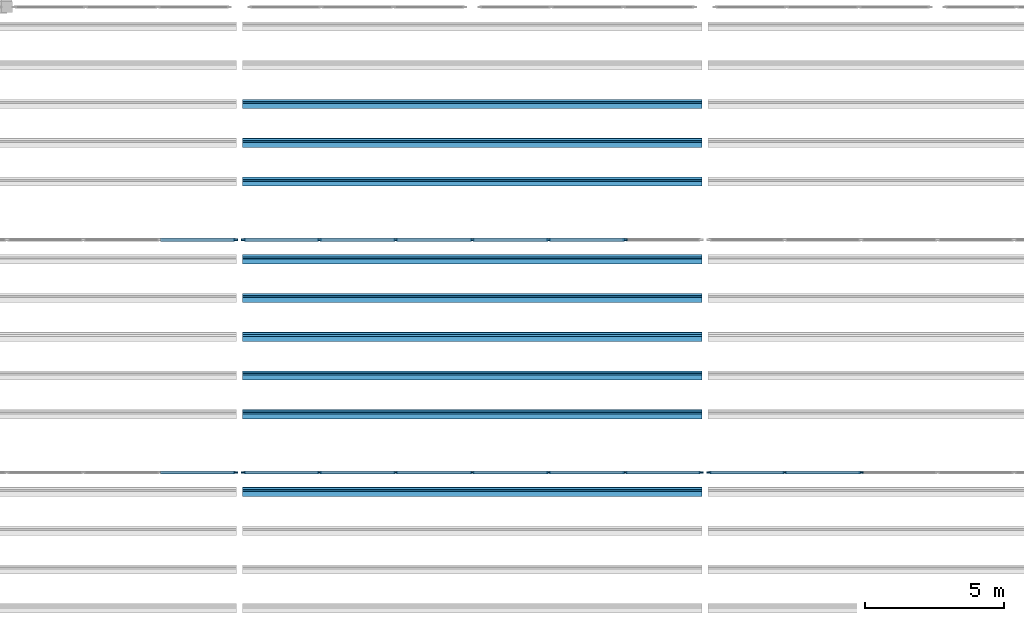
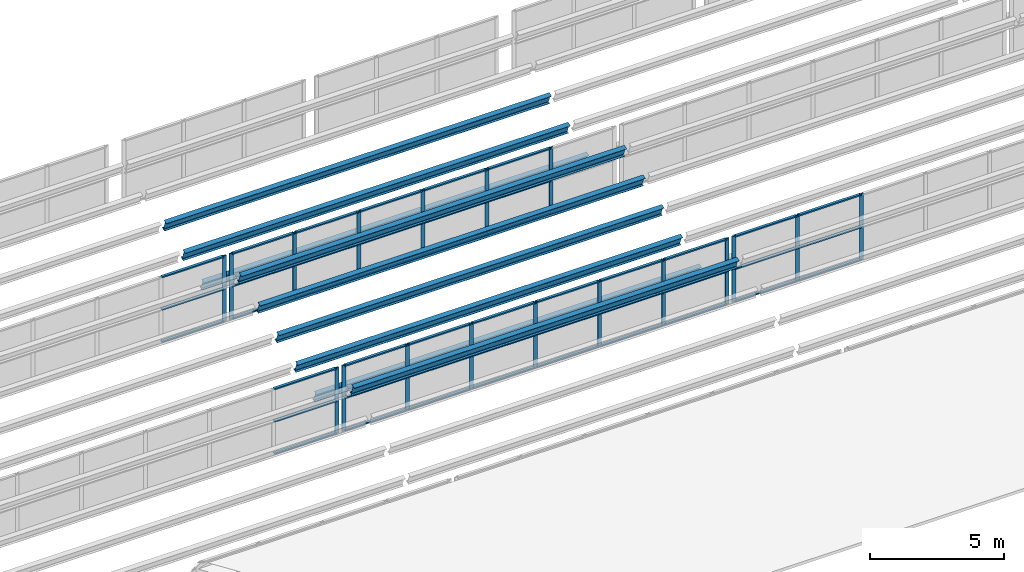
# One storey, part 14 of 116: 72 members, 5 elements without a shape of their own.
"""IFC4 building model written with IfcOpenShell, lengths in metres."""

from ifc_helpers import new_model, si_unit, direction, frame, origin, origin_2d, place, context, subcontext, project, spatial, rectangle, i_section, extrude, material, material_profile, profile_set, type_object, element, aggregate, save


model = new_model("IFC4")

# Units and contexts
model_context = context("Model", 3, precision=1e-05, world=origin(), true_north=direction((0.0, 1.0)))
body_context = subcontext(model_context, "Body", "Model", "MODEL_VIEW")
ifc_project = project(units=[si_unit("LENGTHUNIT", "METRE"), si_unit("AREAUNIT", "SQUARE_METRE"), si_unit("VOLUMEUNIT", "CUBIC_METRE"), si_unit("PLANEANGLEUNIT", "RADIAN"), si_unit("MASSUNIT", "GRAM", prefix="KILO")], contexts=[model_context])

# Site, building, storey
site_placement = place(None, origin())
site = spatial("IfcSite", under=ifc_project, at=site_placement, CompositionType="ELEMENT")
building_placement = place(site_placement, origin())
building = spatial("IfcBuilding", under=site, at=building_placement, Name="Fescue Hill Polytechnic", CompositionType="ELEMENT")
storey_placement = place(building_placement, frame((0.0, 0.0, 13.5)))
storey = spatial("IfcBuildingStorey", under=building, at=storey_placement, Name="L03", CompositionType="ELEMENT", Elevation=13.5)

# Curtain wall, member
ifc_material_1 = material(Name="Aluminium and glass", Category="aluminium")
curtain_wall_type = type_object("IfcCurtainWallType", Name="Sawtooth north glazing curtain wall", PredefinedType="NOTDEFINED", material=ifc_material_1)
curtain_wall_1_placement = place(storey_placement, origin())
curtain_wall_1 = element("IfcCurtainWall", 1, at=curtain_wall_1_placement, inside=storey, type_object=curtain_wall_type, Name="Sawtooth 2 north glazing bay 2", PredefinedType="NOTDEFINED")
ifc_material_2 = material(Name="Aluminium", Category="aluminium")
ifc_material_profile_1 = material_profile(ifc_material_2, rectangle(XDim=0.06005859375, YDim=0.159912109375, at=origin_2d()), Name="Curtain wall mullion 60x160")
ifc_profile_set_1 = profile_set([ifc_material_profile_1], Name="Aluminium")
member_type_1 = type_object("IfcMemberType", Name="Curtain wall mullion 60x160", PredefinedType="MULLION", material=ifc_profile_set_1)
member_1_placement = place(storey_placement, frame((33.449951171875, 33.60009765625, 0.0), z_axis=(0.0, 0.0, 1.0), x_axis=(0.0, 1.0, 0.0)))
member_1 = element("IfcMember", 2, at=member_1_placement, type_object=member_type_1, Name="CW9 mullion 7", PredefinedType="MULLION", context=body_context, shape_type="SweptSolid", body=[
    extrude(rectangle(XDim=0.06005859375, YDim=0.159912109375, at=origin_2d()), origin(), (0.0, 0.0, 1.0), 3.0),
])

# Curtain wall, members
curtain_wall_2_placement = place(storey_placement, origin())
curtain_wall_2 = element("IfcCurtainWall", 3, at=curtain_wall_2_placement, inside=storey, type_object=curtain_wall_type, Name="Sawtooth 2 north glazing bay 3", PredefinedType="NOTDEFINED")
member_2_placement = place(storey_placement, frame((33.75, 33.60009765625, 0.0), z_axis=(0.0, 0.0, 1.0), x_axis=(0.0, 1.0, 0.0)))
member_2 = element("IfcMember", 4, at=member_2_placement, type_object=member_type_1, Name="CW10 mullion 1", PredefinedType="MULLION", context=body_context, shape_type="SweptSolid", body=[
    extrude(rectangle(XDim=0.06005859375, YDim=0.159912109375, at=origin_2d()), origin(), (0.0, 0.0, 1.0), 3.0),
])
member_3_placement = place(storey_placement, frame((36.47998046875, 33.60009765625, 0.0), z_axis=(0.0, 0.0, 1.0), x_axis=(0.0, 1.0, 0.0)))
member_3 = element("IfcMember", 5, at=member_3_placement, type_object=member_type_1, Name="CW10 mullion 2", PredefinedType="MULLION", context=body_context, shape_type="SweptSolid", body=[
    extrude(rectangle(XDim=0.06005859375, YDim=0.159912109375, at=origin_2d()), origin(), (0.0, 0.0, 1.0), 3.0),
])
member_4_placement = place(storey_placement, frame((39.239990234375, 33.60009765625, 0.0), z_axis=(0.0, 0.0, 1.0), x_axis=(0.0, 1.0, 0.0)))
member_4 = element("IfcMember", 6, at=member_4_placement, type_object=member_type_1, Name="CW10 mullion 3", PredefinedType="MULLION", context=body_context, shape_type="SweptSolid", body=[
    extrude(rectangle(XDim=0.06005859375, YDim=0.159912109375, at=origin_2d()), origin(), (0.0, 0.0, 1.0), 3.0),
])
member_5_placement = place(storey_placement, frame((42.0, 33.60009765625, 0.0), z_axis=(0.0, 0.0, 1.0), x_axis=(0.0, 1.0, 0.0)))
member_5 = element("IfcMember", 7, at=member_5_placement, type_object=member_type_1, Name="CW10 mullion 4", PredefinedType="MULLION", context=body_context, shape_type="SweptSolid", body=[
    extrude(rectangle(XDim=0.06005859375, YDim=0.159912109375, at=origin_2d()), origin(), (0.0, 0.0, 1.0), 3.0),
])
member_6_placement = place(storey_placement, frame((44.760009765625, 33.60009765625, 0.0), z_axis=(0.0, 0.0, 1.0), x_axis=(0.0, 1.0, 0.0)))
member_6 = element("IfcMember", 8, at=member_6_placement, type_object=member_type_1, Name="CW10 mullion 5", PredefinedType="MULLION", context=body_context, shape_type="SweptSolid", body=[
    extrude(rectangle(XDim=0.06005859375, YDim=0.159912109375, at=origin_2d()), origin(), (0.0, 0.0, 1.0), 3.0),
])
member_7_placement = place(storey_placement, frame((47.52001953125, 33.60009765625, 0.0), z_axis=(0.0, 0.0, 1.0), x_axis=(0.0, 1.0, 0.0)))
member_7 = element("IfcMember", 9, at=member_7_placement, type_object=member_type_1, Name="CW10 mullion 6", PredefinedType="MULLION", context=body_context, shape_type="SweptSolid", body=[
    extrude(rectangle(XDim=0.06005859375, YDim=0.159912109375, at=origin_2d()), origin(), (0.0, 0.0, 1.0), 3.0),
])
member_8_placement = place(storey_placement, frame((50.25, 33.60009765625, 0.0), z_axis=(0.0, 0.0, 1.0), x_axis=(0.0, 1.0, 0.0)))
member_8 = element("IfcMember", 10, at=member_8_placement, type_object=member_type_1, Name="CW10 mullion 7", PredefinedType="MULLION", context=body_context, shape_type="SweptSolid", body=[
    extrude(rectangle(XDim=0.06005859375, YDim=0.159912109375, at=origin_2d()), origin(), (0.0, 0.0, 1.0), 3.0),
])

curtain_wall_3_placement = place(storey_placement, origin())
curtain_wall_3 = element("IfcCurtainWall", 11, at=curtain_wall_3_placement, inside=storey, type_object=curtain_wall_type, Name="Sawtooth 2 north glazing bay 4", PredefinedType="NOTDEFINED")
member_9_placement = place(storey_placement, frame((50.550048828125, 33.60009765625, 0.0), z_axis=(0.0, 0.0, 1.0), x_axis=(0.0, 1.0, 0.0)))
member_9 = element("IfcMember", 12, at=member_9_placement, type_object=member_type_1, Name="CW11 mullion 1", PredefinedType="MULLION", context=body_context, shape_type="SweptSolid", body=[
    extrude(rectangle(XDim=0.06005859375, YDim=0.159912109375, at=origin_2d()), origin(), (0.0, 0.0, 1.0), 3.0),
])
member_10_placement = place(storey_placement, frame((53.280029296875, 33.60009765625, 0.0), z_axis=(0.0, 0.0, 1.0), x_axis=(0.0, 1.0, 0.0)))
member_10 = element("IfcMember", 13, at=member_10_placement, type_object=member_type_1, Name="CW11 mullion 2", PredefinedType="MULLION", context=body_context, shape_type="SweptSolid", body=[
    extrude(rectangle(XDim=0.06005859375, YDim=0.159912109375, at=origin_2d()), origin(), (0.0, 0.0, 1.0), 3.0),
])
member_11_placement = place(storey_placement, frame((56.0400390625, 33.60009765625, 0.0), z_axis=(0.0, 0.0, 1.0), x_axis=(0.0, 1.0, 0.0)))
member_11 = element("IfcMember", 14, at=member_11_placement, type_object=member_type_1, Name="CW11 mullion 3", PredefinedType="MULLION", context=body_context, shape_type="SweptSolid", body=[
    extrude(rectangle(XDim=0.06005859375, YDim=0.159912109375, at=origin_2d()), origin(), (0.0, 0.0, 1.0), 3.0),
])

# Curtain wall, member
curtain_wall_4_placement = place(storey_placement, origin())
curtain_wall_4 = element("IfcCurtainWall", 15, at=curtain_wall_4_placement, inside=storey, type_object=curtain_wall_type, Name="Sawtooth 3 north glazing bay 2", PredefinedType="NOTDEFINED")
member_12_placement = place(storey_placement, frame((33.449951171875, 42.0, 0.0), z_axis=(0.0, 0.0, 1.0), x_axis=(0.0, 1.0, 0.0)))
member_12 = element("IfcMember", 16, at=member_12_placement, type_object=member_type_1, Name="CW16 mullion 7", PredefinedType="MULLION", context=body_context, shape_type="SweptSolid", body=[
    extrude(rectangle(XDim=0.06005859375, YDim=0.159912109375, at=origin_2d()), origin(), (0.0, 0.0, 1.0), 3.0),
])

# Curtain wall, members
curtain_wall_5_placement = place(storey_placement, origin())
curtain_wall_5 = element("IfcCurtainWall", 17, at=curtain_wall_5_placement, inside=storey, type_object=curtain_wall_type, Name="Sawtooth 3 north glazing bay 3", PredefinedType="NOTDEFINED")
member_13_placement = place(storey_placement, frame((33.75, 42.0, 0.0), z_axis=(0.0, 0.0, 1.0), x_axis=(0.0, 1.0, 0.0)))
member_13 = element("IfcMember", 18, at=member_13_placement, type_object=member_type_1, Name="CW17 mullion 1", PredefinedType="MULLION", context=body_context, shape_type="SweptSolid", body=[
    extrude(rectangle(XDim=0.06005859375, YDim=0.159912109375, at=origin_2d()), origin(), (0.0, 0.0, 1.0), 3.0),
])
member_14_placement = place(storey_placement, frame((36.47998046875, 42.0, 0.0), z_axis=(0.0, 0.0, 1.0), x_axis=(0.0, 1.0, 0.0)))
member_14 = element("IfcMember", 19, at=member_14_placement, type_object=member_type_1, Name="CW17 mullion 2", PredefinedType="MULLION", context=body_context, shape_type="SweptSolid", body=[
    extrude(rectangle(XDim=0.06005859375, YDim=0.159912109375, at=origin_2d()), origin(), (0.0, 0.0, 1.0), 3.0),
])
member_15_placement = place(storey_placement, frame((39.239990234375, 42.0, 0.0), z_axis=(0.0, 0.0, 1.0), x_axis=(0.0, 1.0, 0.0)))
member_15 = element("IfcMember", 20, at=member_15_placement, type_object=member_type_1, Name="CW17 mullion 3", PredefinedType="MULLION", context=body_context, shape_type="SweptSolid", body=[
    extrude(rectangle(XDim=0.06005859375, YDim=0.159912109375, at=origin_2d()), origin(), (0.0, 0.0, 1.0), 3.0),
])
member_16_placement = place(storey_placement, frame((42.0, 42.0, 0.0), z_axis=(0.0, 0.0, 1.0), x_axis=(0.0, 1.0, 0.0)))
member_16 = element("IfcMember", 21, at=member_16_placement, type_object=member_type_1, Name="CW17 mullion 4", PredefinedType="MULLION", context=body_context, shape_type="SweptSolid", body=[
    extrude(rectangle(XDim=0.06005859375, YDim=0.159912109375, at=origin_2d()), origin(), (0.0, 0.0, 1.0), 3.0),
])
member_17_placement = place(storey_placement, frame((44.760009765625, 42.0, 0.0), z_axis=(0.0, 0.0, 1.0), x_axis=(0.0, 1.0, 0.0)))
member_17 = element("IfcMember", 22, at=member_17_placement, type_object=member_type_1, Name="CW17 mullion 5", PredefinedType="MULLION", context=body_context, shape_type="SweptSolid", body=[
    extrude(rectangle(XDim=0.06005859375, YDim=0.159912109375, at=origin_2d()), origin(), (0.0, 0.0, 1.0), 3.0),
])
member_18_placement = place(storey_placement, frame((47.52001953125, 42.0, 0.0), z_axis=(0.0, 0.0, 1.0), x_axis=(0.0, 1.0, 0.0)))
member_18 = element("IfcMember", 23, at=member_18_placement, type_object=member_type_1, Name="CW17 mullion 6", PredefinedType="MULLION", context=body_context, shape_type="SweptSolid", body=[
    extrude(rectangle(XDim=0.06005859375, YDim=0.159912109375, at=origin_2d()), origin(), (0.0, 0.0, 1.0), 3.0),
])

# Member
ifc_material_profile_2 = material_profile(ifc_material_2, rectangle(XDim=0.1201171875, YDim=0.06005859375, at=origin_2d()), Name="Curtain wall transom 60x120")
ifc_profile_set_2 = profile_set([ifc_material_profile_2], Name="Aluminium")
member_type_2 = type_object("IfcMemberType", Name="Curtain wall transom 60x120", PredefinedType="USERDEFINED", material=ifc_profile_set_2)
member_19_placement = place(storey_placement, frame((30.75, 33.60009765625, 0.030029296875), z_axis=(1.0, 0.0, 0.0), x_axis=(0.0, 1.0, 0.0)))
member_19 = element("IfcMember", 24, at=member_19_placement, type_object=member_type_2, Name="CW9 transom 6.1", ObjectType="TRANSOM", PredefinedType="USERDEFINED", context=body_context, shape_type="SweptSolid", body=[
    extrude(rectangle(XDim=0.1201171875, YDim=0.06005859375, at=origin_2d()), origin(), (0.0, 0.0, 1.0), 2.669921875),
])

member_20_placement = place(storey_placement, frame((30.75, 33.60009765625, 1.5), z_axis=(1.0, 0.0, 0.0), x_axis=(0.0, 1.0, 0.0)))
member_20 = element("IfcMember", 25, at=member_20_placement, type_object=member_type_2, Name="CW9 transom 6.2", ObjectType="TRANSOM", PredefinedType="USERDEFINED", context=body_context, shape_type="SweptSolid", body=[
    extrude(rectangle(XDim=0.1201171875, YDim=0.06005859375, at=origin_2d()), origin(), (0.0, 0.0, 1.0), 2.669921875),
])

member_21_placement = place(storey_placement, frame((30.75, 33.60009765625, 2.969970703125), z_axis=(1.0, 0.0, 0.0), x_axis=(0.0, 1.0, 0.0)))
member_21 = element("IfcMember", 26, at=member_21_placement, type_object=member_type_2, Name="CW9 transom 6.3", ObjectType="TRANSOM", PredefinedType="USERDEFINED", context=body_context, shape_type="SweptSolid", body=[
    extrude(rectangle(XDim=0.1201171875, YDim=0.06005859375, at=origin_2d()), origin(), (0.0, 0.0, 1.0), 2.669921875),
])

aggregate(curtain_wall_1, [member_1, member_19, member_20, member_21])

member_22_placement = place(storey_placement, frame((33.780029296875, 33.60009765625, 0.030029296875), z_axis=(1.0, 0.0, 0.0), x_axis=(0.0, 1.0, 0.0)))
member_22 = element("IfcMember", 27, at=member_22_placement, type_object=member_type_2, Name="CW10 transom 1.1", ObjectType="TRANSOM", PredefinedType="USERDEFINED", context=body_context, shape_type="SweptSolid", body=[
    extrude(rectangle(XDim=0.1201171875, YDim=0.06005859375, at=origin_2d()), origin(), (0.0, 0.0, 1.0), 2.669921875),
])

member_23_placement = place(storey_placement, frame((33.780029296875, 33.60009765625, 1.5), z_axis=(1.0, 0.0, 0.0), x_axis=(0.0, 1.0, 0.0)))
member_23 = element("IfcMember", 28, at=member_23_placement, type_object=member_type_2, Name="CW10 transom 1.2", ObjectType="TRANSOM", PredefinedType="USERDEFINED", context=body_context, shape_type="SweptSolid", body=[
    extrude(rectangle(XDim=0.1201171875, YDim=0.06005859375, at=origin_2d()), origin(), (0.0, 0.0, 1.0), 2.669921875),
])

member_24_placement = place(storey_placement, frame((33.780029296875, 33.60009765625, 2.969970703125), z_axis=(1.0, 0.0, 0.0), x_axis=(0.0, 1.0, 0.0)))
member_24 = element("IfcMember", 29, at=member_24_placement, type_object=member_type_2, Name="CW10 transom 1.3", ObjectType="TRANSOM", PredefinedType="USERDEFINED", context=body_context, shape_type="SweptSolid", body=[
    extrude(rectangle(XDim=0.1201171875, YDim=0.06005859375, at=origin_2d()), origin(), (0.0, 0.0, 1.0), 2.669921875),
])

member_25_placement = place(storey_placement, frame((36.510009765625, 33.60009765625, 0.030029296875), z_axis=(1.0, 0.0, 0.0), x_axis=(0.0, 1.0, 0.0)))
member_25 = element("IfcMember", 30, at=member_25_placement, type_object=member_type_2, Name="CW10 transom 2.1", ObjectType="TRANSOM", PredefinedType="USERDEFINED", context=body_context, shape_type="SweptSolid", body=[
    extrude(rectangle(XDim=0.1201171875, YDim=0.06005859375, at=origin_2d()), origin(), (0.0, 0.0, 1.0), 2.699951171875),
])

member_26_placement = place(storey_placement, frame((36.510009765625, 33.60009765625, 1.5), z_axis=(1.0, 0.0, 0.0), x_axis=(0.0, 1.0, 0.0)))
member_26 = element("IfcMember", 31, at=member_26_placement, type_object=member_type_2, Name="CW10 transom 2.2", ObjectType="TRANSOM", PredefinedType="USERDEFINED", context=body_context, shape_type="SweptSolid", body=[
    extrude(rectangle(XDim=0.1201171875, YDim=0.06005859375, at=origin_2d()), origin(), (0.0, 0.0, 1.0), 2.699951171875),
])

member_27_placement = place(storey_placement, frame((36.510009765625, 33.60009765625, 2.969970703125), z_axis=(1.0, 0.0, 0.0), x_axis=(0.0, 1.0, 0.0)))
member_27 = element("IfcMember", 32, at=member_27_placement, type_object=member_type_2, Name="CW10 transom 2.3", ObjectType="TRANSOM", PredefinedType="USERDEFINED", context=body_context, shape_type="SweptSolid", body=[
    extrude(rectangle(XDim=0.1201171875, YDim=0.06005859375, at=origin_2d()), origin(), (0.0, 0.0, 1.0), 2.699951171875),
])

member_28_placement = place(storey_placement, frame((39.27001953125, 33.60009765625, 0.030029296875), z_axis=(1.0, 0.0, 0.0), x_axis=(0.0, 1.0, 0.0)))
member_28 = element("IfcMember", 33, at=member_28_placement, type_object=member_type_2, Name="CW10 transom 3.1", ObjectType="TRANSOM", PredefinedType="USERDEFINED", context=body_context, shape_type="SweptSolid", body=[
    extrude(rectangle(XDim=0.1201171875, YDim=0.06005859375, at=origin_2d()), origin(), (0.0, 0.0, 1.0), 2.699951171875),
])

member_29_placement = place(storey_placement, frame((39.27001953125, 33.60009765625, 1.5), z_axis=(1.0, 0.0, 0.0), x_axis=(0.0, 1.0, 0.0)))
member_29 = element("IfcMember", 34, at=member_29_placement, type_object=member_type_2, Name="CW10 transom 3.2", ObjectType="TRANSOM", PredefinedType="USERDEFINED", context=body_context, shape_type="SweptSolid", body=[
    extrude(rectangle(XDim=0.1201171875, YDim=0.06005859375, at=origin_2d()), origin(), (0.0, 0.0, 1.0), 2.699951171875),
])

member_30_placement = place(storey_placement, frame((39.27001953125, 33.60009765625, 2.969970703125), z_axis=(1.0, 0.0, 0.0), x_axis=(0.0, 1.0, 0.0)))
member_30 = element("IfcMember", 35, at=member_30_placement, type_object=member_type_2, Name="CW10 transom 3.3", ObjectType="TRANSOM", PredefinedType="USERDEFINED", context=body_context, shape_type="SweptSolid", body=[
    extrude(rectangle(XDim=0.1201171875, YDim=0.06005859375, at=origin_2d()), origin(), (0.0, 0.0, 1.0), 2.699951171875),
])

member_31_placement = place(storey_placement, frame((42.030029296875, 33.60009765625, 0.030029296875), z_axis=(1.0, 0.0, 0.0), x_axis=(0.0, 1.0, 0.0)))
member_31 = element("IfcMember", 36, at=member_31_placement, type_object=member_type_2, Name="CW10 transom 4.1", ObjectType="TRANSOM", PredefinedType="USERDEFINED", context=body_context, shape_type="SweptSolid", body=[
    extrude(rectangle(XDim=0.1201171875, YDim=0.06005859375, at=origin_2d()), origin(), (0.0, 0.0, 1.0), 2.699951171875),
])

member_32_placement = place(storey_placement, frame((42.030029296875, 33.60009765625, 1.5), z_axis=(1.0, 0.0, 0.0), x_axis=(0.0, 1.0, 0.0)))
member_32 = element("IfcMember", 37, at=member_32_placement, type_object=member_type_2, Name="CW10 transom 4.2", ObjectType="TRANSOM", PredefinedType="USERDEFINED", context=body_context, shape_type="SweptSolid", body=[
    extrude(rectangle(XDim=0.1201171875, YDim=0.06005859375, at=origin_2d()), origin(), (0.0, 0.0, 1.0), 2.699951171875),
])

member_33_placement = place(storey_placement, frame((42.030029296875, 33.60009765625, 2.969970703125), z_axis=(1.0, 0.0, 0.0), x_axis=(0.0, 1.0, 0.0)))
member_33 = element("IfcMember", 38, at=member_33_placement, type_object=member_type_2, Name="CW10 transom 4.3", ObjectType="TRANSOM", PredefinedType="USERDEFINED", context=body_context, shape_type="SweptSolid", body=[
    extrude(rectangle(XDim=0.1201171875, YDim=0.06005859375, at=origin_2d()), origin(), (0.0, 0.0, 1.0), 2.699951171875),
])

member_34_placement = place(storey_placement, frame((44.7900390625, 33.60009765625, 0.030029296875), z_axis=(1.0, 0.0, 0.0), x_axis=(0.0, 1.0, 0.0)))
member_34 = element("IfcMember", 39, at=member_34_placement, type_object=member_type_2, Name="CW10 transom 5.1", ObjectType="TRANSOM", PredefinedType="USERDEFINED", context=body_context, shape_type="SweptSolid", body=[
    extrude(rectangle(XDim=0.1201171875, YDim=0.06005859375, at=origin_2d()), origin(), (0.0, 0.0, 1.0), 2.699951171875),
])

member_35_placement = place(storey_placement, frame((44.7900390625, 33.60009765625, 1.5), z_axis=(1.0, 0.0, 0.0), x_axis=(0.0, 1.0, 0.0)))
member_35 = element("IfcMember", 40, at=member_35_placement, type_object=member_type_2, Name="CW10 transom 5.2", ObjectType="TRANSOM", PredefinedType="USERDEFINED", context=body_context, shape_type="SweptSolid", body=[
    extrude(rectangle(XDim=0.1201171875, YDim=0.06005859375, at=origin_2d()), origin(), (0.0, 0.0, 1.0), 2.699951171875),
])

member_36_placement = place(storey_placement, frame((44.7900390625, 33.60009765625, 2.969970703125), z_axis=(1.0, 0.0, 0.0), x_axis=(0.0, 1.0, 0.0)))
member_36 = element("IfcMember", 41, at=member_36_placement, type_object=member_type_2, Name="CW10 transom 5.3", ObjectType="TRANSOM", PredefinedType="USERDEFINED", context=body_context, shape_type="SweptSolid", body=[
    extrude(rectangle(XDim=0.1201171875, YDim=0.06005859375, at=origin_2d()), origin(), (0.0, 0.0, 1.0), 2.699951171875),
])

member_37_placement = place(storey_placement, frame((47.550048828125, 33.60009765625, 0.030029296875), z_axis=(1.0, 0.0, 0.0), x_axis=(0.0, 1.0, 0.0)))
member_37 = element("IfcMember", 42, at=member_37_placement, type_object=member_type_2, Name="CW10 transom 6.1", ObjectType="TRANSOM", PredefinedType="USERDEFINED", context=body_context, shape_type="SweptSolid", body=[
    extrude(rectangle(XDim=0.1201171875, YDim=0.06005859375, at=origin_2d()), origin(), (0.0, 0.0, 1.0), 2.669921875),
])

member_38_placement = place(storey_placement, frame((47.550048828125, 33.60009765625, 1.5), z_axis=(1.0, 0.0, 0.0), x_axis=(0.0, 1.0, 0.0)))
member_38 = element("IfcMember", 43, at=member_38_placement, type_object=member_type_2, Name="CW10 transom 6.2", ObjectType="TRANSOM", PredefinedType="USERDEFINED", context=body_context, shape_type="SweptSolid", body=[
    extrude(rectangle(XDim=0.1201171875, YDim=0.06005859375, at=origin_2d()), origin(), (0.0, 0.0, 1.0), 2.669921875),
])

member_39_placement = place(storey_placement, frame((47.550048828125, 33.60009765625, 2.969970703125), z_axis=(1.0, 0.0, 0.0), x_axis=(0.0, 1.0, 0.0)))
member_39 = element("IfcMember", 44, at=member_39_placement, type_object=member_type_2, Name="CW10 transom 6.3", ObjectType="TRANSOM", PredefinedType="USERDEFINED", context=body_context, shape_type="SweptSolid", body=[
    extrude(rectangle(XDim=0.1201171875, YDim=0.06005859375, at=origin_2d()), origin(), (0.0, 0.0, 1.0), 2.669921875),
])

aggregate(curtain_wall_2, [member_2, member_3, member_4, member_5, member_6, member_7, member_8, member_22, member_23, member_24, member_25, member_26, member_27, member_28, member_29, member_30, member_31, member_32, member_33, member_34, member_35, member_36, member_37, member_38, member_39])

member_40_placement = place(storey_placement, frame((50.580078125, 33.60009765625, 0.030029296875), z_axis=(1.0, 0.0, 0.0), x_axis=(0.0, 1.0, 0.0)))
member_40 = element("IfcMember", 45, at=member_40_placement, type_object=member_type_2, Name="CW11 transom 1.1", ObjectType="TRANSOM", PredefinedType="USERDEFINED", context=body_context, shape_type="SweptSolid", body=[
    extrude(rectangle(XDim=0.1201171875, YDim=0.06005859375, at=origin_2d()), origin(), (0.0, 0.0, 1.0), 2.669921875),
])

member_41_placement = place(storey_placement, frame((50.580078125, 33.60009765625, 1.5), z_axis=(1.0, 0.0, 0.0), x_axis=(0.0, 1.0, 0.0)))
member_41 = element("IfcMember", 46, at=member_41_placement, type_object=member_type_2, Name="CW11 transom 1.2", ObjectType="TRANSOM", PredefinedType="USERDEFINED", context=body_context, shape_type="SweptSolid", body=[
    extrude(rectangle(XDim=0.1201171875, YDim=0.06005859375, at=origin_2d()), origin(), (0.0, 0.0, 1.0), 2.669921875),
])

member_42_placement = place(storey_placement, frame((50.580078125, 33.60009765625, 2.969970703125), z_axis=(1.0, 0.0, 0.0), x_axis=(0.0, 1.0, 0.0)))
member_42 = element("IfcMember", 47, at=member_42_placement, type_object=member_type_2, Name="CW11 transom 1.3", ObjectType="TRANSOM", PredefinedType="USERDEFINED", context=body_context, shape_type="SweptSolid", body=[
    extrude(rectangle(XDim=0.1201171875, YDim=0.06005859375, at=origin_2d()), origin(), (0.0, 0.0, 1.0), 2.669921875),
])

member_43_placement = place(storey_placement, frame((53.31005859375, 33.60009765625, 0.030029296875), z_axis=(1.0, 0.0, 0.0), x_axis=(0.0, 1.0, 0.0)))
member_43 = element("IfcMember", 48, at=member_43_placement, type_object=member_type_2, Name="CW11 transom 2.1", ObjectType="TRANSOM", PredefinedType="USERDEFINED", context=body_context, shape_type="SweptSolid", body=[
    extrude(rectangle(XDim=0.1201171875, YDim=0.06005859375, at=origin_2d()), origin(), (0.0, 0.0, 1.0), 2.699951171875),
])

member_44_placement = place(storey_placement, frame((53.31005859375, 33.60009765625, 1.5), z_axis=(1.0, 0.0, 0.0), x_axis=(0.0, 1.0, 0.0)))
member_44 = element("IfcMember", 49, at=member_44_placement, type_object=member_type_2, Name="CW11 transom 2.2", ObjectType="TRANSOM", PredefinedType="USERDEFINED", context=body_context, shape_type="SweptSolid", body=[
    extrude(rectangle(XDim=0.1201171875, YDim=0.06005859375, at=origin_2d()), origin(), (0.0, 0.0, 1.0), 2.699951171875),
])

member_45_placement = place(storey_placement, frame((53.31005859375, 33.60009765625, 2.969970703125), z_axis=(1.0, 0.0, 0.0), x_axis=(0.0, 1.0, 0.0)))
member_45 = element("IfcMember", 50, at=member_45_placement, type_object=member_type_2, Name="CW11 transom 2.3", ObjectType="TRANSOM", PredefinedType="USERDEFINED", context=body_context, shape_type="SweptSolid", body=[
    extrude(rectangle(XDim=0.1201171875, YDim=0.06005859375, at=origin_2d()), origin(), (0.0, 0.0, 1.0), 2.699951171875),
])

aggregate(curtain_wall_3, [member_9, member_10, member_11, member_40, member_41, member_42, member_43, member_44, member_45])

member_46_placement = place(storey_placement, frame((30.75, 42.0, 0.030029296875), z_axis=(1.0, 0.0, 0.0), x_axis=(0.0, 1.0, 0.0)))
member_46 = element("IfcMember", 51, at=member_46_placement, type_object=member_type_2, Name="CW16 transom 6.1", ObjectType="TRANSOM", PredefinedType="USERDEFINED", context=body_context, shape_type="SweptSolid", body=[
    extrude(rectangle(XDim=0.1201171875, YDim=0.06005859375, at=origin_2d()), origin(), (0.0, 0.0, 1.0), 2.669921875),
])

member_47_placement = place(storey_placement, frame((30.75, 42.0, 1.5), z_axis=(1.0, 0.0, 0.0), x_axis=(0.0, 1.0, 0.0)))
member_47 = element("IfcMember", 52, at=member_47_placement, type_object=member_type_2, Name="CW16 transom 6.2", ObjectType="TRANSOM", PredefinedType="USERDEFINED", context=body_context, shape_type="SweptSolid", body=[
    extrude(rectangle(XDim=0.1201171875, YDim=0.06005859375, at=origin_2d()), origin(), (0.0, 0.0, 1.0), 2.669921875),
])

member_48_placement = place(storey_placement, frame((30.75, 42.0, 2.969970703125), z_axis=(1.0, 0.0, 0.0), x_axis=(0.0, 1.0, 0.0)))
member_48 = element("IfcMember", 53, at=member_48_placement, type_object=member_type_2, Name="CW16 transom 6.3", ObjectType="TRANSOM", PredefinedType="USERDEFINED", context=body_context, shape_type="SweptSolid", body=[
    extrude(rectangle(XDim=0.1201171875, YDim=0.06005859375, at=origin_2d()), origin(), (0.0, 0.0, 1.0), 2.669921875),
])

aggregate(curtain_wall_4, [member_12, member_46, member_47, member_48])

member_49_placement = place(storey_placement, frame((33.780029296875, 42.0, 0.030029296875), z_axis=(1.0, 0.0, 0.0), x_axis=(0.0, 1.0, 0.0)))
member_49 = element("IfcMember", 54, at=member_49_placement, type_object=member_type_2, Name="CW17 transom 1.1", ObjectType="TRANSOM", PredefinedType="USERDEFINED", context=body_context, shape_type="SweptSolid", body=[
    extrude(rectangle(XDim=0.1201171875, YDim=0.06005859375, at=origin_2d()), origin(), (0.0, 0.0, 1.0), 2.669921875),
])

member_50_placement = place(storey_placement, frame((33.780029296875, 42.0, 1.5), z_axis=(1.0, 0.0, 0.0), x_axis=(0.0, 1.0, 0.0)))
member_50 = element("IfcMember", 55, at=member_50_placement, type_object=member_type_2, Name="CW17 transom 1.2", ObjectType="TRANSOM", PredefinedType="USERDEFINED", context=body_context, shape_type="SweptSolid", body=[
    extrude(rectangle(XDim=0.1201171875, YDim=0.06005859375, at=origin_2d()), origin(), (0.0, 0.0, 1.0), 2.669921875),
])

member_51_placement = place(storey_placement, frame((33.780029296875, 42.0, 2.969970703125), z_axis=(1.0, 0.0, 0.0), x_axis=(0.0, 1.0, 0.0)))
member_51 = element("IfcMember", 56, at=member_51_placement, type_object=member_type_2, Name="CW17 transom 1.3", ObjectType="TRANSOM", PredefinedType="USERDEFINED", context=body_context, shape_type="SweptSolid", body=[
    extrude(rectangle(XDim=0.1201171875, YDim=0.06005859375, at=origin_2d()), origin(), (0.0, 0.0, 1.0), 2.669921875),
])

member_52_placement = place(storey_placement, frame((36.510009765625, 42.0, 0.030029296875), z_axis=(1.0, 0.0, 0.0), x_axis=(0.0, 1.0, 0.0)))
member_52 = element("IfcMember", 57, at=member_52_placement, type_object=member_type_2, Name="CW17 transom 2.1", ObjectType="TRANSOM", PredefinedType="USERDEFINED", context=body_context, shape_type="SweptSolid", body=[
    extrude(rectangle(XDim=0.1201171875, YDim=0.06005859375, at=origin_2d()), origin(), (0.0, 0.0, 1.0), 2.699951171875),
])

member_53_placement = place(storey_placement, frame((36.510009765625, 42.0, 1.5), z_axis=(1.0, 0.0, 0.0), x_axis=(0.0, 1.0, 0.0)))
member_53 = element("IfcMember", 58, at=member_53_placement, type_object=member_type_2, Name="CW17 transom 2.2", ObjectType="TRANSOM", PredefinedType="USERDEFINED", context=body_context, shape_type="SweptSolid", body=[
    extrude(rectangle(XDim=0.1201171875, YDim=0.06005859375, at=origin_2d()), origin(), (0.0, 0.0, 1.0), 2.699951171875),
])

member_54_placement = place(storey_placement, frame((36.510009765625, 42.0, 2.969970703125), z_axis=(1.0, 0.0, 0.0), x_axis=(0.0, 1.0, 0.0)))
member_54 = element("IfcMember", 59, at=member_54_placement, type_object=member_type_2, Name="CW17 transom 2.3", ObjectType="TRANSOM", PredefinedType="USERDEFINED", context=body_context, shape_type="SweptSolid", body=[
    extrude(rectangle(XDim=0.1201171875, YDim=0.06005859375, at=origin_2d()), origin(), (0.0, 0.0, 1.0), 2.699951171875),
])

member_55_placement = place(storey_placement, frame((39.27001953125, 42.0, 0.030029296875), z_axis=(1.0, 0.0, 0.0), x_axis=(0.0, 1.0, 0.0)))
member_55 = element("IfcMember", 60, at=member_55_placement, type_object=member_type_2, Name="CW17 transom 3.1", ObjectType="TRANSOM", PredefinedType="USERDEFINED", context=body_context, shape_type="SweptSolid", body=[
    extrude(rectangle(XDim=0.1201171875, YDim=0.06005859375, at=origin_2d()), origin(), (0.0, 0.0, 1.0), 2.699951171875),
])

member_56_placement = place(storey_placement, frame((39.27001953125, 42.0, 1.5), z_axis=(1.0, 0.0, 0.0), x_axis=(0.0, 1.0, 0.0)))
member_56 = element("IfcMember", 61, at=member_56_placement, type_object=member_type_2, Name="CW17 transom 3.2", ObjectType="TRANSOM", PredefinedType="USERDEFINED", context=body_context, shape_type="SweptSolid", body=[
    extrude(rectangle(XDim=0.1201171875, YDim=0.06005859375, at=origin_2d()), origin(), (0.0, 0.0, 1.0), 2.699951171875),
])

member_57_placement = place(storey_placement, frame((39.27001953125, 42.0, 2.969970703125), z_axis=(1.0, 0.0, 0.0), x_axis=(0.0, 1.0, 0.0)))
member_57 = element("IfcMember", 62, at=member_57_placement, type_object=member_type_2, Name="CW17 transom 3.3", ObjectType="TRANSOM", PredefinedType="USERDEFINED", context=body_context, shape_type="SweptSolid", body=[
    extrude(rectangle(XDim=0.1201171875, YDim=0.06005859375, at=origin_2d()), origin(), (0.0, 0.0, 1.0), 2.699951171875),
])

member_58_placement = place(storey_placement, frame((42.030029296875, 42.0, 0.030029296875), z_axis=(1.0, 0.0, 0.0), x_axis=(0.0, 1.0, 0.0)))
member_58 = element("IfcMember", 63, at=member_58_placement, type_object=member_type_2, Name="CW17 transom 4.1", ObjectType="TRANSOM", PredefinedType="USERDEFINED", context=body_context, shape_type="SweptSolid", body=[
    extrude(rectangle(XDim=0.1201171875, YDim=0.06005859375, at=origin_2d()), origin(), (0.0, 0.0, 1.0), 2.699951171875),
])

member_59_placement = place(storey_placement, frame((42.030029296875, 42.0, 1.5), z_axis=(1.0, 0.0, 0.0), x_axis=(0.0, 1.0, 0.0)))
member_59 = element("IfcMember", 64, at=member_59_placement, type_object=member_type_2, Name="CW17 transom 4.2", ObjectType="TRANSOM", PredefinedType="USERDEFINED", context=body_context, shape_type="SweptSolid", body=[
    extrude(rectangle(XDim=0.1201171875, YDim=0.06005859375, at=origin_2d()), origin(), (0.0, 0.0, 1.0), 2.699951171875),
])

member_60_placement = place(storey_placement, frame((42.030029296875, 42.0, 2.969970703125), z_axis=(1.0, 0.0, 0.0), x_axis=(0.0, 1.0, 0.0)))
member_60 = element("IfcMember", 65, at=member_60_placement, type_object=member_type_2, Name="CW17 transom 4.3", ObjectType="TRANSOM", PredefinedType="USERDEFINED", context=body_context, shape_type="SweptSolid", body=[
    extrude(rectangle(XDim=0.1201171875, YDim=0.06005859375, at=origin_2d()), origin(), (0.0, 0.0, 1.0), 2.699951171875),
])

member_61_placement = place(storey_placement, frame((44.7900390625, 42.0, 0.030029296875), z_axis=(1.0, 0.0, 0.0), x_axis=(0.0, 1.0, 0.0)))
member_61 = element("IfcMember", 66, at=member_61_placement, type_object=member_type_2, Name="CW17 transom 5.1", ObjectType="TRANSOM", PredefinedType="USERDEFINED", context=body_context, shape_type="SweptSolid", body=[
    extrude(rectangle(XDim=0.1201171875, YDim=0.06005859375, at=origin_2d()), origin(), (0.0, 0.0, 1.0), 2.699951171875),
])

member_62_placement = place(storey_placement, frame((44.7900390625, 42.0, 1.5), z_axis=(1.0, 0.0, 0.0), x_axis=(0.0, 1.0, 0.0)))
member_62 = element("IfcMember", 67, at=member_62_placement, type_object=member_type_2, Name="CW17 transom 5.2", ObjectType="TRANSOM", PredefinedType="USERDEFINED", context=body_context, shape_type="SweptSolid", body=[
    extrude(rectangle(XDim=0.1201171875, YDim=0.06005859375, at=origin_2d()), origin(), (0.0, 0.0, 1.0), 2.699951171875),
])

member_63_placement = place(storey_placement, frame((44.7900390625, 42.0, 2.969970703125), z_axis=(1.0, 0.0, 0.0), x_axis=(0.0, 1.0, 0.0)))
member_63 = element("IfcMember", 68, at=member_63_placement, type_object=member_type_2, Name="CW17 transom 5.3", ObjectType="TRANSOM", PredefinedType="USERDEFINED", context=body_context, shape_type="SweptSolid", body=[
    extrude(rectangle(XDim=0.1201171875, YDim=0.06005859375, at=origin_2d()), origin(), (0.0, 0.0, 1.0), 2.699951171875),
])

aggregate(curtain_wall_5, [member_13, member_14, member_15, member_16, member_17, member_18, member_49, member_50, member_51, member_52, member_53, member_54, member_55, member_56, member_57, member_58, member_59, member_60, member_61, member_62, member_63])

# Members
ifc_material_3 = material(Name="Steel 350W (350 MPa)", Category="steel")
ifc_material_profile_3 = material_profile(ifc_material_3, i_section(OverallWidth=0.18994140625, OverallDepth=0.45703125, WebThickness=0.009033203125, FlangeThickness=0.014404296875, FilletRadius=0.0166015625, at=origin_2d()), Name="W460x74")
ifc_profile_set_3 = profile_set([ifc_material_profile_3], Name="Steel 350W (350 MPa)")
member_type_3 = type_object("IfcMemberType", Name="Tooth purlin W460x74", PredefinedType="PURLIN", material=ifc_profile_set_3)
for number, where, z_axis, x_axis, name in (
    (69, (33.70458984375, 35.699951171875, 0.294921875), (1.0, 0.0, 0.0), (0.0, 0.941741911595, 0.336336396997), "Tooth 3 purlin 2 bay 3"),
    (70, (33.70458984375, 37.10009765625, 0.794921875), (1.0, 0.0, 0.0), (0.0, 0.941741911595, 0.336336396997), "Tooth 3 purlin 3 bay 3"),
    (71, (33.70458984375, 38.5, 1.294921875), (1.0, 0.0, 0.0), (0.0, 0.941741911595, 0.336336396997), "Tooth 3 purlin 4 bay 3"),
    (72, (33.70458984375, 39.89990234375, 1.794921875), (1.0, 0.0, 0.0), (0.0, 0.941741911595, 0.336336396997), "Tooth 3 purlin 5 bay 3"),
    (73, (33.70458984375, 44.10009765625, 0.294921875), (1.0, 0.0, 0.0), (0.0, 0.941741911595, 0.336336396997), "Tooth 4 purlin 2 bay 3"),
    (74, (33.70458984375, 45.5, 0.794921875), (1.0, 0.0, 0.0), (0.0, 0.941741911595, 0.336336396997), "Tooth 4 purlin 3 bay 3"),
    (75, (33.70458984375, 46.89990234375, 1.294921875), (1.0, 0.0, 0.0), (0.0, 0.941741911595, 0.336336396997), "Tooth 4 purlin 4 bay 3"),
):
    element("IfcMember", number, at=place(storey_placement, frame(where, z_axis=z_axis, x_axis=x_axis)), inside=storey, type_object=member_type_3, Name=name, PredefinedType="PURLIN", context=body_context, shape_type="SweptSolid", body=[
        extrude(i_section(OverallWidth=0.18994140625, OverallDepth=0.45703125, WebThickness=0.009033203125, FlangeThickness=0.014404296875, FilletRadius=0.0166015625, at=origin_2d()), origin(), (0.0, 0.0, 1.0), 16.5908203125),
    ])
ifc_material_profile_4 = material_profile(ifc_material_3, i_section(OverallWidth=0.193115234375, OverallDepth=0.466064453125, WebThickness=0.011474609375, FlangeThickness=0.01904296875, FilletRadius=0.01708984375, at=origin_2d()), Name="W460x97")
ifc_profile_set_4 = profile_set([ifc_material_profile_4], Name="Steel 350W (350 MPa)")
member_type_4 = type_object("IfcMemberType", Name="Tooth ridge purlin W460x97", PredefinedType="PURLIN", material=ifc_profile_set_4)
for number, where, z_axis, x_axis, name in (
    (76, (33.70458984375, 32.89990234375, 2.290283203125), (1.0, 0.0, 0.0), (0.0, 0.941741911595, 0.336336396997), "Tooth 2 ridge purlin bay 3"),
    (77, (33.70458984375, 41.300048828125, 2.290283203125), (1.0, 0.0, 0.0), (0.0, 0.941741911595, 0.336336396997), "Tooth 3 ridge purlin bay 3"),
):
    element("IfcMember", number, at=place(storey_placement, frame(where, z_axis=z_axis, x_axis=x_axis)), inside=storey, type_object=member_type_4, Name=name, PredefinedType="PURLIN", context=body_context, shape_type="SweptSolid", body=[
        extrude(i_section(OverallWidth=0.193115234375, OverallDepth=0.466064453125, WebThickness=0.011474609375, FlangeThickness=0.01904296875, FilletRadius=0.01708984375, at=origin_2d()), origin(), (0.0, 0.0, 1.0), 16.5908203125),
    ])

save(model, "model.ifc")
